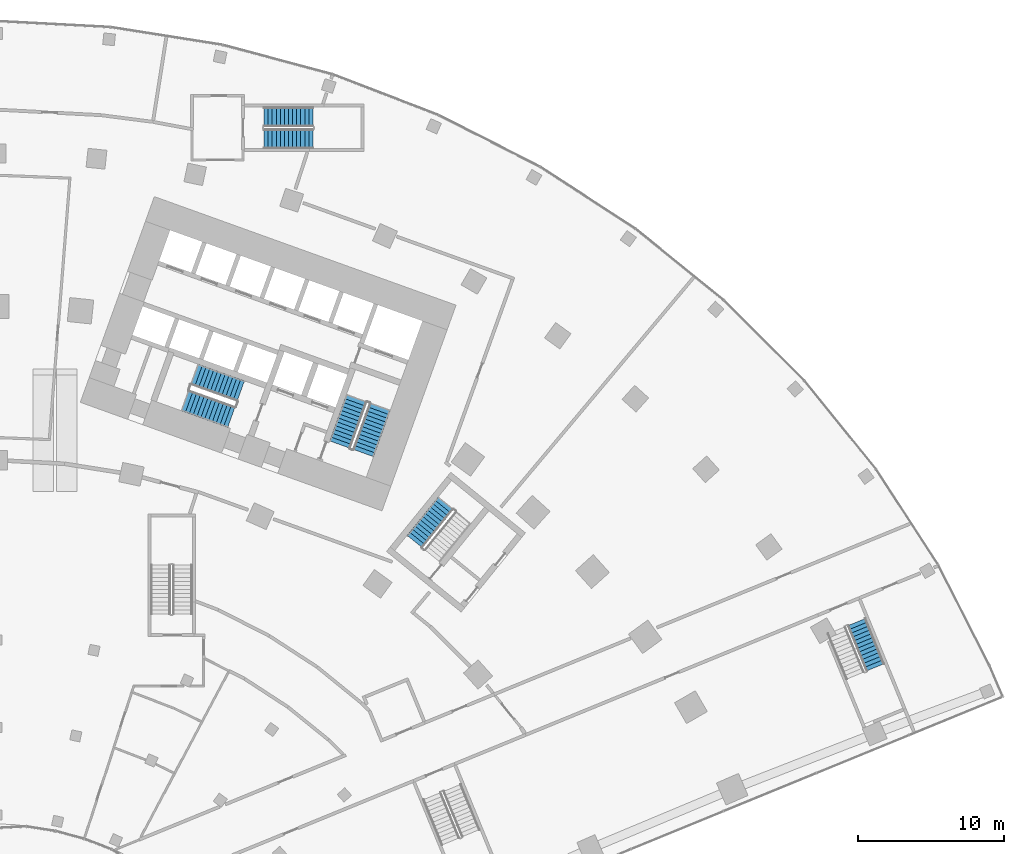
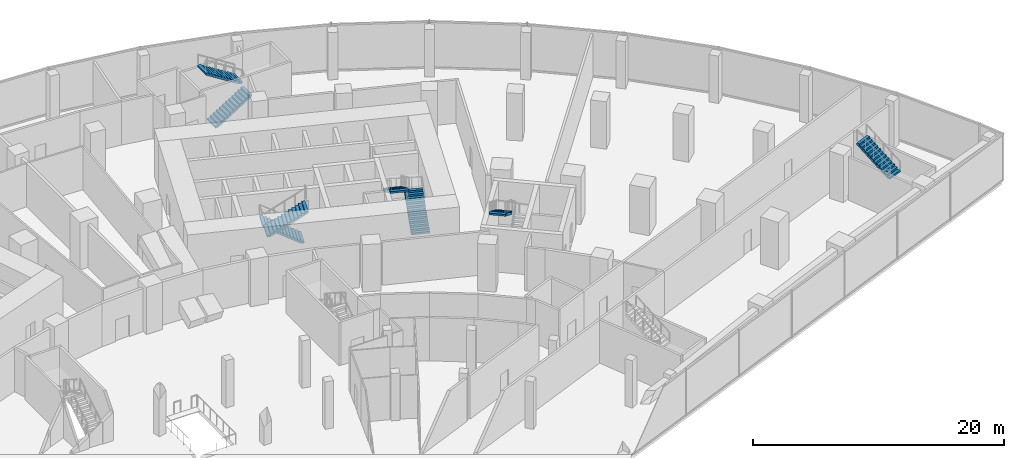
# One storey, part 31 of 40: 8 stair flights, 5 elements without a shape of their own.
"""IFC4 building model written with IfcOpenShell, lengths in metres."""

from ifc_helpers import new_model, si_unit, direction, frame, origin, place, context, subcontext, project, spatial, polyline, outline, extrude, material, layer, layer_set, type_object, element, aggregate, save


model = new_model("IFC4")

# Units and contexts
model_context = context("Model", 3, precision=1e-05, world=origin(), true_north=direction((0.0, 1.0)))
body_context = subcontext(model_context, "Body", "Model", "MODEL_VIEW")
ifc_project = project(units=[si_unit("LENGTHUNIT", "METRE"), si_unit("AREAUNIT", "SQUARE_METRE"), si_unit("VOLUMEUNIT", "CUBIC_METRE"), si_unit("PLANEANGLEUNIT", "RADIAN"), si_unit("MASSUNIT", "GRAM", prefix="KILO")], contexts=[model_context])

# Site, building, storey
site_placement = place(None, origin())
site = spatial("IfcSite", under=ifc_project, at=site_placement, CompositionType="ELEMENT")
building_placement = place(site_placement, origin())
building = spatial("IfcBuilding", under=site, at=building_placement, Name="Stone Belt Terrace Tower", CompositionType="ELEMENT")
storey_placement = place(building_placement, frame((0.0, 0.0, 7.0)))
storey = spatial("IfcBuildingStorey", under=building, at=storey_placement, Name="L01", CompositionType="ELEMENT", Elevation=7.0)

# Stair, stair flight
ifc_material_1 = material(Name="Concrete B30", Category="concrete")
stair_type_1 = type_object("IfcStairType", Name="Podium stair concrete B30", PredefinedType="HALF_TURN_STAIR", material=ifc_material_1)
stair_1_placement = place(storey_placement, origin())
stair_1 = element("IfcStair", 1, at=stair_1_placement, inside=storey, type_object=stair_type_1, Name="L01 podium exit stair 4", PredefinedType="HALF_TURN_STAIR")
ifc_layer = layer(ifc_material_1, 0.14990234375)
ifc_layer_set = layer_set([ifc_layer], Name="Podium stair flight concrete B30")
stair_flight_type_1 = type_object("IfcStairFlightType", Name="Podium stair flight concrete B30", PredefinedType="STRAIGHT", material=ifc_layer_set)
stair_flight_1_placement = place(storey_placement, frame((60.288330078125, 30.232421875, 2.300048828125), z_axis=(0.0, 0.0, 1.0), x_axis=(-0.37924309334, 0.925297074541, 0.0)))
stair_flight_1 = element("IfcStairFlight", 2, at=stair_flight_1_placement, type_object=stair_flight_type_1, Name="PS4 flight 2", NumberOfRisers=13, NumberOfTreads=12, PredefinedType="STRAIGHT", RiserHeight=0.176923077, TreadLength=0.28, context=body_context, shape_type="SweptSolid", body=[
    extrude(outline(polyline([(0.0, 0.0), (0.0, 0.177001953125), (0.280029296875, 0.177001953125), (0.280029296875, 0.353759765625), (0.56005859375, 0.353759765625), (0.56005859375, 0.53076171875), (0.840087890625, 0.53076171875), (0.840087890625, 0.707763671875), (1.1201171875, 0.707763671875), (1.1201171875, 0.884521484375), (1.39990234375, 0.884521484375), (1.39990234375, 1.0615234375), (1.679931640625, 1.0615234375), (1.679931640625, 1.238525390625), (1.9599609375, 1.238525390625), (1.9599609375, 1.415283203125), (2.239990234375, 1.415283203125), (2.239990234375, 1.59228515625), (2.52001953125, 1.59228515625), (2.52001953125, 1.769287109375), (2.800048828125, 1.769287109375), (2.800048828125, 1.946044921875), (3.080078125, 1.946044921875), (3.080078125, 2.123046875), (3.360107421875, 2.123046875), (3.360107421875, 2.300048828125), (3.360107421875, 1.94580078125), (0.280517578125, 0.0), (0.0, 0.0)])), frame((0.0, 0.675048828125, 0.0), z_axis=(0.0, -1.0, 0.0), x_axis=(1.0, 0.0, 0.0)), (0.0, 0.0, 1.0), 1.35009765625),
])
aggregate(stair_1, [stair_flight_1])

# Stair, stair flights
stair_2_placement = place(storey_placement, origin())
stair_2 = element("IfcStair", 3, at=stair_2_placement, inside=storey, type_object=stair_type_1, Name="L01 podium exit stair 8", PredefinedType="HALF_TURN_STAIR")
stair_flight_2_placement = place(storey_placement, frame((18.340087890625, 66.5, 0.0), z_axis=(0.0, 0.0, 1.0), x_axis=(1.0, 0.0, 0.0)))
stair_flight_2 = element("IfcStairFlight", 4, at=stair_flight_2_placement, type_object=stair_flight_type_1, Name="PS8 flight 1", NumberOfRisers=13, NumberOfTreads=12, PredefinedType="STRAIGHT", RiserHeight=0.176923077, TreadLength=0.28, context=body_context, shape_type="SweptSolid", body=[
    extrude(outline(polyline([(0.0, 0.0), (0.0, 0.177001953125), (0.280029296875, 0.177001953125), (0.280029296875, 0.353759765625), (0.56005859375, 0.353759765625), (0.56005859375, 0.53076171875), (0.840087890625, 0.53076171875), (0.840087890625, 0.707763671875), (1.1201171875, 0.707763671875), (1.1201171875, 0.884521484375), (1.39990234375, 0.884521484375), (1.39990234375, 1.0615234375), (1.679931640625, 1.0615234375), (1.679931640625, 1.238525390625), (1.9599609375, 1.238525390625), (1.9599609375, 1.415283203125), (2.239990234375, 1.415283203125), (2.239990234375, 1.59228515625), (2.52001953125, 1.59228515625), (2.52001953125, 1.769287109375), (2.800048828125, 1.769287109375), (2.800048828125, 1.946044921875), (3.080078125, 1.946044921875), (3.080078125, 2.123046875), (3.360107421875, 2.123046875), (3.360107421875, 2.300048828125), (3.360107421875, 1.94580078125), (0.280517578125, 0.0), (0.0, 0.0)])), frame((0.0, 0.675048828125, 0.0), z_axis=(0.0, -1.0, 0.0), x_axis=(1.0, 0.0, 0.0)), (0.0, 0.0, 1.0), 1.35009765625),
])
stair_flight_3_placement = place(storey_placement, frame((21.699951171875, 68.0, 2.300048828125), z_axis=(0.0, 0.0, 1.0), x_axis=(-1.0, 0.0, 0.0)))
stair_flight_3 = element("IfcStairFlight", 5, at=stair_flight_3_placement, type_object=stair_flight_type_1, Name="PS8 flight 2", NumberOfRisers=13, NumberOfTreads=12, PredefinedType="STRAIGHT", RiserHeight=0.176923077, TreadLength=0.28, context=body_context, shape_type="SweptSolid", body=[
    extrude(outline(polyline([(0.0, 0.0), (0.0, 0.177001953125), (0.280029296875, 0.177001953125), (0.280029296875, 0.353759765625), (0.56005859375, 0.353759765625), (0.56005859375, 0.53076171875), (0.840087890625, 0.53076171875), (0.840087890625, 0.707763671875), (1.1201171875, 0.707763671875), (1.1201171875, 0.884521484375), (1.39990234375, 0.884521484375), (1.39990234375, 1.0615234375), (1.679931640625, 1.0615234375), (1.679931640625, 1.238525390625), (1.9599609375, 1.238525390625), (1.9599609375, 1.415283203125), (2.239990234375, 1.415283203125), (2.239990234375, 1.59228515625), (2.52001953125, 1.59228515625), (2.52001953125, 1.769287109375), (2.800048828125, 1.769287109375), (2.800048828125, 1.946044921875), (3.080078125, 1.946044921875), (3.080078125, 2.123046875), (3.360107421875, 2.123046875), (3.360107421875, 2.300048828125), (3.360107421875, 1.94580078125), (0.280517578125, 0.0), (0.0, 0.0)])), frame((0.0, 0.675048828125, 0.0), z_axis=(0.0, -1.0, 0.0), x_axis=(1.0, 0.0, 0.0)), (0.0, 0.0, 1.0), 1.35009765625),
])
aggregate(stair_2, [stair_flight_2, stair_flight_3])

ifc_material_2 = material(Name="Concrete B40", Category="concrete")
stair_type_2 = type_object("IfcStairType", Name="Exit stair 1500", PredefinedType="HALF_TURN_STAIR", material=ifc_material_2)
stair_3_placement = place(storey_placement, origin())
stair_3 = element("IfcStair", 6, at=stair_3_placement, inside=storey, type_object=stair_type_2, Name="L01 Exit stair 1 core B", PredefinedType="HALF_TURN_STAIR")
stair_flight_type_2 = type_object("IfcStairFlightType", Name="Stair flight 1500", PredefinedType="STRAIGHT", material=ifc_material_2)
stair_flight_4_placement = place(storey_placement, frame((25.15283203125, 44.9375, 0.0), z_axis=(0.0, 0.0, 1.0), x_axis=(0.338624396177, 0.940921632398, 0.0)))
stair_flight_4 = element("IfcStairFlight", 7, at=stair_flight_4_placement, type_object=stair_flight_type_2, Name="ST1B flight 1", NumberOfRisers=13, NumberOfTreads=12, PredefinedType="STRAIGHT", RiserHeight=0.176923077, TreadLength=0.28, context=body_context, shape_type="SweptSolid", body=[
    extrude(outline(polyline([(0.0, 0.0), (0.0, 0.177001953125), (0.280029296875, 0.177001953125), (0.280029296875, 0.353759765625), (0.56005859375, 0.353759765625), (0.56005859375, 0.53076171875), (0.840087890625, 0.53076171875), (0.840087890625, 0.707763671875), (1.1201171875, 0.707763671875), (1.1201171875, 0.884521484375), (1.39990234375, 0.884521484375), (1.39990234375, 1.0615234375), (1.679931640625, 1.0615234375), (1.679931640625, 1.238525390625), (1.9599609375, 1.238525390625), (1.9599609375, 1.415283203125), (2.239990234375, 1.415283203125), (2.239990234375, 1.59228515625), (2.52001953125, 1.59228515625), (2.52001953125, 1.769287109375), (2.800048828125, 1.769287109375), (2.800048828125, 1.946044921875), (3.080078125, 1.946044921875), (3.080078125, 2.123046875), (3.360107421875, 2.123046875), (3.360107421875, 2.300048828125), (3.360107421875, 1.94580078125), (0.280517578125, 0.0), (0.0, 0.0)])), frame((0.0, 0.75, 0.0), z_axis=(0.0, -1.0, 0.0), x_axis=(1.0, 0.0, 0.0)), (0.0, 0.0, 1.0), 1.5),
])
stair_flight_5_placement = place(storey_placement, frame((24.691162109375, 48.674560546875, 2.300048828125), z_axis=(0.0, 0.0, 1.0), x_axis=(-0.338624396177, -0.940921632398, 0.0)))
stair_flight_5 = element("IfcStairFlight", 8, at=stair_flight_5_placement, type_object=stair_flight_type_2, Name="ST1B flight 2", NumberOfRisers=13, NumberOfTreads=12, PredefinedType="STRAIGHT", RiserHeight=0.176923077, TreadLength=0.28, context=body_context, shape_type="SweptSolid", body=[
    extrude(outline(polyline([(0.0, 0.0), (0.0, 0.177001953125), (0.280029296875, 0.177001953125), (0.280029296875, 0.353759765625), (0.56005859375, 0.353759765625), (0.56005859375, 0.53076171875), (0.840087890625, 0.53076171875), (0.840087890625, 0.707763671875), (1.1201171875, 0.707763671875), (1.1201171875, 0.884521484375), (1.39990234375, 0.884521484375), (1.39990234375, 1.0615234375), (1.679931640625, 1.0615234375), (1.679931640625, 1.238525390625), (1.9599609375, 1.238525390625), (1.9599609375, 1.415283203125), (2.239990234375, 1.415283203125), (2.239990234375, 1.59228515625), (2.52001953125, 1.59228515625), (2.52001953125, 1.769287109375), (2.800048828125, 1.769287109375), (2.800048828125, 1.946044921875), (3.080078125, 1.946044921875), (3.080078125, 2.123046875), (3.360107421875, 2.123046875), (3.360107421875, 2.300048828125), (3.360107421875, 1.94580078125), (0.280517578125, 0.0), (0.0, 0.0)])), frame((0.0, 0.75, 0.0), z_axis=(0.0, -1.0, 0.0), x_axis=(1.0, 0.0, 0.0)), (0.0, 0.0, 1.0), 1.5),
])
aggregate(stair_3, [stair_flight_4, stair_flight_5])

stair_4_placement = place(storey_placement, origin())
stair_4 = element("IfcStair", 9, at=stair_4_placement, inside=storey, type_object=stair_type_2, Name="L01 Exit stair 2 core B", PredefinedType="HALF_TURN_STAIR")
stair_flight_6_placement = place(storey_placement, frame((16.74462890625, 49.185546875, 0.0), z_axis=(0.0, 0.0, 1.0), x_axis=(-0.940921632398, 0.338624396177, 0.0)))
stair_flight_6 = element("IfcStairFlight", 10, at=stair_flight_6_placement, type_object=stair_flight_type_2, Name="ST2B flight 1", NumberOfRisers=13, NumberOfTreads=12, PredefinedType="STRAIGHT", RiserHeight=0.176923077, TreadLength=0.28, context=body_context, shape_type="SweptSolid", body=[
    extrude(outline(polyline([(0.0, 0.0), (0.0, 0.177001953125), (0.280029296875, 0.177001953125), (0.280029296875, 0.353759765625), (0.56005859375, 0.353759765625), (0.56005859375, 0.53076171875), (0.840087890625, 0.53076171875), (0.840087890625, 0.707763671875), (1.1201171875, 0.707763671875), (1.1201171875, 0.884521484375), (1.39990234375, 0.884521484375), (1.39990234375, 1.0615234375), (1.679931640625, 1.0615234375), (1.679931640625, 1.238525390625), (1.9599609375, 1.238525390625), (1.9599609375, 1.415283203125), (2.239990234375, 1.415283203125), (2.239990234375, 1.59228515625), (2.52001953125, 1.59228515625), (2.52001953125, 1.769287109375), (2.800048828125, 1.769287109375), (2.800048828125, 1.946044921875), (3.080078125, 1.946044921875), (3.080078125, 2.123046875), (3.360107421875, 2.123046875), (3.360107421875, 2.300048828125), (3.360107421875, 1.94580078125), (0.280517578125, 0.0), (0.0, 0.0)])), frame((0.0, 0.75, 0.0), z_axis=(0.0, -1.0, 0.0), x_axis=(1.0, 0.0, 0.0)), (0.0, 0.0, 1.0), 1.5),
])
stair_flight_7_placement = place(storey_placement, frame((12.93994140625, 48.53564453125, 2.300048828125), z_axis=(0.0, 0.0, 1.0), x_axis=(0.940921632398, -0.338624396177, 0.0)))
stair_flight_7 = element("IfcStairFlight", 11, at=stair_flight_7_placement, type_object=stair_flight_type_2, Name="ST2B flight 2", NumberOfRisers=13, NumberOfTreads=12, PredefinedType="STRAIGHT", RiserHeight=0.176923077, TreadLength=0.28, context=body_context, shape_type="SweptSolid", body=[
    extrude(outline(polyline([(0.0, 0.0), (0.0, 0.177001953125), (0.280029296875, 0.177001953125), (0.280029296875, 0.353759765625), (0.56005859375, 0.353759765625), (0.56005859375, 0.53076171875), (0.840087890625, 0.53076171875), (0.840087890625, 0.707763671875), (1.1201171875, 0.707763671875), (1.1201171875, 0.884521484375), (1.39990234375, 0.884521484375), (1.39990234375, 1.0615234375), (1.679931640625, 1.0615234375), (1.679931640625, 1.238525390625), (1.9599609375, 1.238525390625), (1.9599609375, 1.415283203125), (2.239990234375, 1.415283203125), (2.239990234375, 1.59228515625), (2.52001953125, 1.59228515625), (2.52001953125, 1.769287109375), (2.800048828125, 1.769287109375), (2.800048828125, 1.946044921875), (3.080078125, 1.946044921875), (3.080078125, 2.123046875), (3.360107421875, 2.123046875), (3.360107421875, 2.300048828125), (3.360107421875, 1.94580078125), (0.280517578125, 0.0), (0.0, 0.0)])), frame((0.0, 0.75, 0.0), z_axis=(0.0, -1.0, 0.0), x_axis=(1.0, 0.0, 0.0)), (0.0, 0.0, 1.0), 1.5),
])
aggregate(stair_4, [stair_flight_6, stair_flight_7])

# Stair, stair flight
stair_5_placement = place(storey_placement, origin())
stair_5 = element("IfcStair", 12, at=stair_5_placement, inside=storey, type_object=stair_type_2, Name="L01 Exit stair 3B", PredefinedType="HALF_TURN_STAIR")
stair_flight_8_placement = place(storey_placement, frame((30.79736328125, 41.4736328125, 2.300048828125), z_axis=(0.0, 0.0, 1.0), x_axis=(-0.630205749599, -0.776428176441, 0.0)))
stair_flight_8 = element("IfcStairFlight", 13, at=stair_flight_8_placement, type_object=stair_flight_type_2, Name="ST3B flight 2", NumberOfRisers=13, NumberOfTreads=12, PredefinedType="STRAIGHT", RiserHeight=0.176923077, TreadLength=0.28, context=body_context, shape_type="SweptSolid", body=[
    extrude(outline(polyline([(0.0, 0.0), (0.0, 0.177001953125), (0.280029296875, 0.177001953125), (0.280029296875, 0.353759765625), (0.56005859375, 0.353759765625), (0.56005859375, 0.53076171875), (0.840087890625, 0.53076171875), (0.840087890625, 0.707763671875), (1.1201171875, 0.707763671875), (1.1201171875, 0.884521484375), (1.39990234375, 0.884521484375), (1.39990234375, 1.0615234375), (1.679931640625, 1.0615234375), (1.679931640625, 1.238525390625), (1.9599609375, 1.238525390625), (1.9599609375, 1.415283203125), (2.239990234375, 1.415283203125), (2.239990234375, 1.59228515625), (2.52001953125, 1.59228515625), (2.52001953125, 1.769287109375), (2.800048828125, 1.769287109375), (2.800048828125, 1.946044921875), (3.080078125, 1.946044921875), (3.080078125, 2.123046875), (3.360107421875, 2.123046875), (3.360107421875, 2.300048828125), (3.360107421875, 1.94580078125), (0.280517578125, 0.0), (0.0, 0.0)])), frame((0.0, 0.675048828125, 0.0), z_axis=(0.0, -1.0, 0.0), x_axis=(1.0, 0.0, 0.0)), (0.0, 0.0, 1.0), 1.35009765625),
])
aggregate(stair_5, [stair_flight_8])

save(model, "model.ifc")
